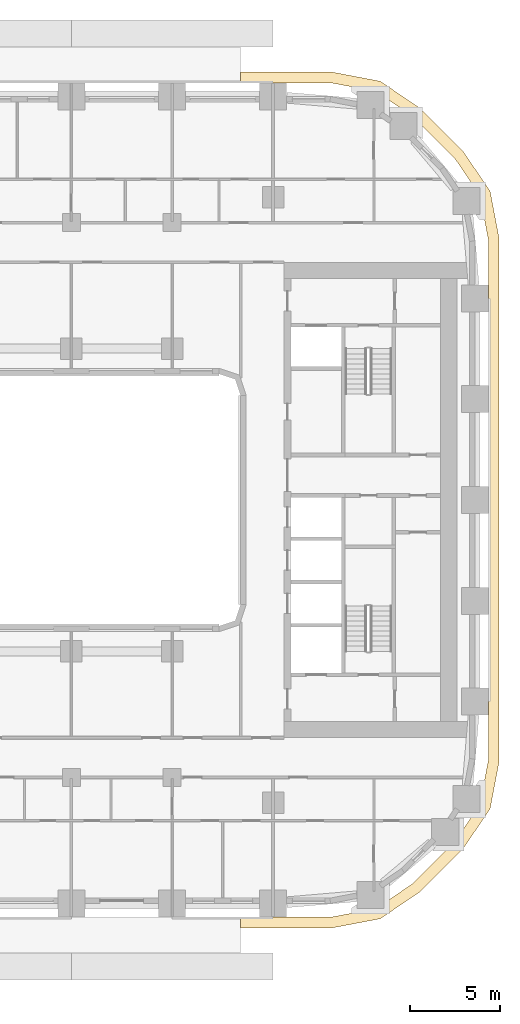
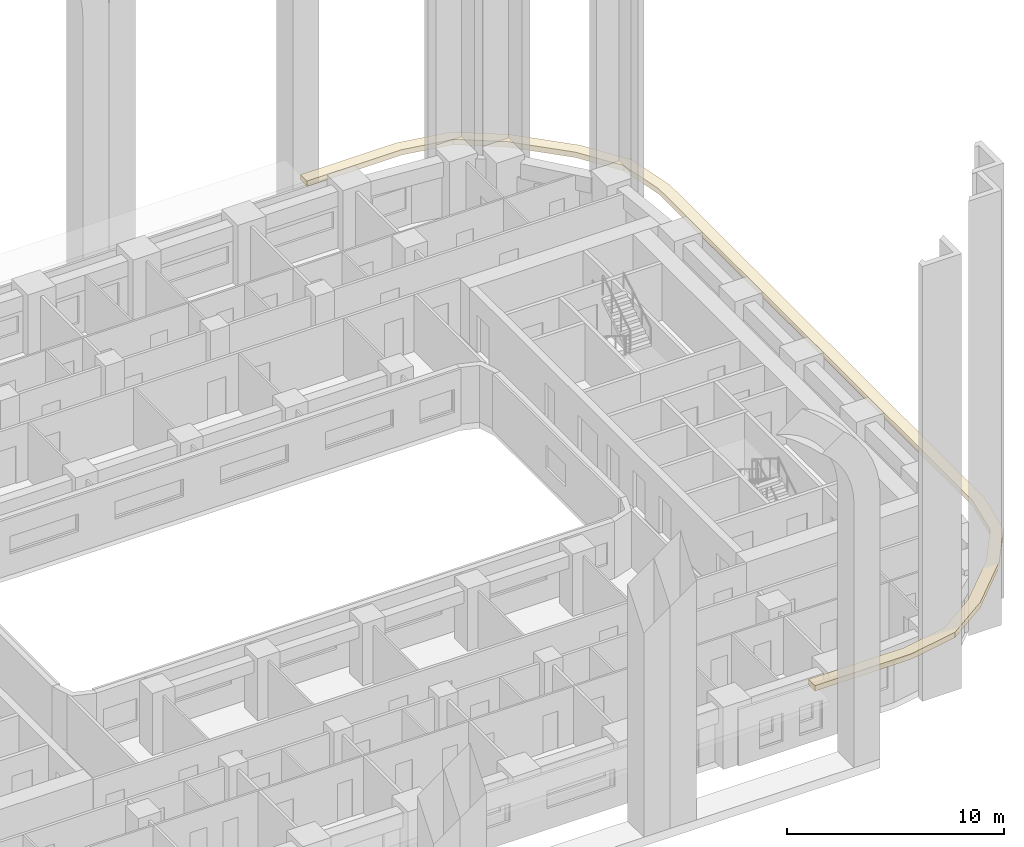
# One storey, part 17 of 21: 1 covering.
"""IFC4 building model written with IfcOpenShell, lengths in metres."""

from ifc_helpers import new_model, si_unit, direction, frame, origin, place, context, subcontext, project, spatial, polyline, outline, extrude, material, layer, layer_set, type_object, element, save


model = new_model("IFC4")

# Units and contexts
model_context = context("Model", 3, precision=1e-05, world=origin(), true_north=direction((0.0, 1.0)))
body_context = subcontext(model_context, "Body", "Model", "MODEL_VIEW")
ifc_project = project(units=[si_unit("LENGTHUNIT", "METRE"), si_unit("AREAUNIT", "SQUARE_METRE"), si_unit("VOLUMEUNIT", "CUBIC_METRE"), si_unit("PLANEANGLEUNIT", "RADIAN"), si_unit("MASSUNIT", "GRAM", prefix="KILO")], contexts=[model_context])

# Site, building, storey
site_placement = place(None, origin())
site = spatial("IfcSite", under=ifc_project, at=site_placement, CompositionType="ELEMENT")
building_placement = place(site_placement, origin())
building = spatial("IfcBuilding", under=site, at=building_placement, Name="Kiln Ring Residences", CompositionType="ELEMENT")
storey_placement = place(building_placement, frame((0.0, 0.0, 30.5)))
storey = spatial("IfcBuildingStorey", under=building, at=storey_placement, Name="L06", CompositionType="ELEMENT", Elevation=30.5)

# Covering
ifc_material = material(Name="Black powder-coated steel", Category="steel")
ifc_layer = layer(ifc_material, 0.300048828125)
ifc_layer_set = layer_set([ifc_layer], Name="SUNSHADE FIN 600")
covering_type = type_object("IfcCoveringType", Name="SUNSHADE FIN 600", PredefinedType="CLADDING", material=ifc_layer_set)
covering_placement = place(storey_placement, frame((0.0, 0.0, 3.199951171875)))
element("IfcCovering", 1, at=covering_placement, inside=storey, type_object=covering_type, Name="SUNSHADE FIN L06", PredefinedType="CLADDING", context=body_context, shape_type="SweptSolid", body=[
    extrude(outline(polyline([(20.127685546875, 23.75), (15.0, 23.75), (15.0, 23.14990234375), (20.07080078125, 23.14990234375), (22.517333984375, 22.683349609375), (24.577392578125, 21.283447265625), (26.88330078125, 18.977294921875), (28.283447265625, 16.91748046875), (28.75, 14.470947265625), (28.75, -14.470947265625), (28.283447265625, -16.91748046875), (26.88330078125, -18.977294921875), (24.577392578125, -21.283447265625), (22.517333984375, -22.683349609375), (20.07080078125, -23.14990234375), (15.0, -23.14990234375), (15.0, -23.75), (20.127685546875, -23.75), (22.751953125, -23.24951171875), (24.96142578125, -21.747802734375), (27.347900390625, -19.361328125), (28.849365234375, -17.15185546875), (29.35009765625, -14.527587890625), (29.35009765625, 14.527587890625), (28.849365234375, 17.15185546875), (27.347900390625, 19.361328125), (24.96142578125, 21.747802734375), (22.751953125, 23.24951171875), (20.127685546875, 23.75)])), origin(), (0.0, 0.0, 1.0), 0.300048828125),
])

save(model, "model.ifc")
